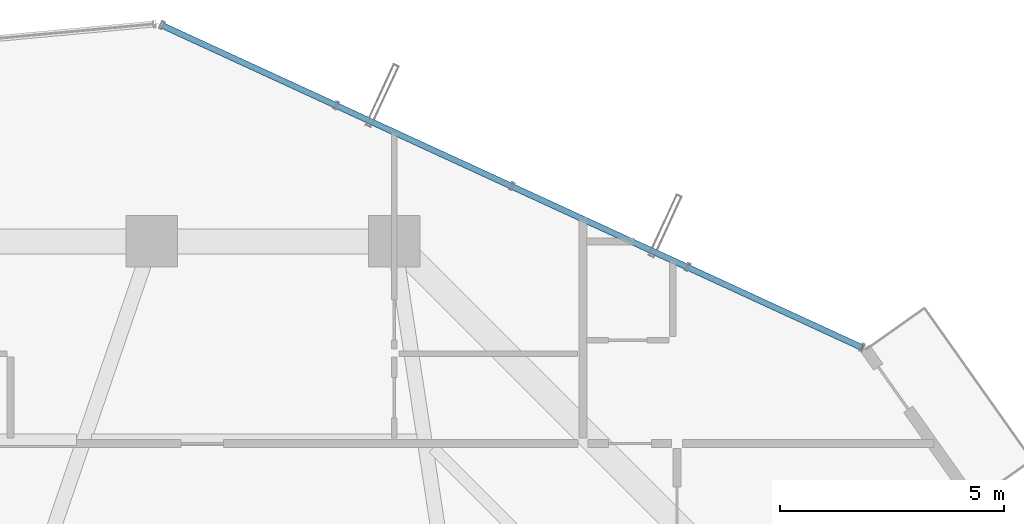
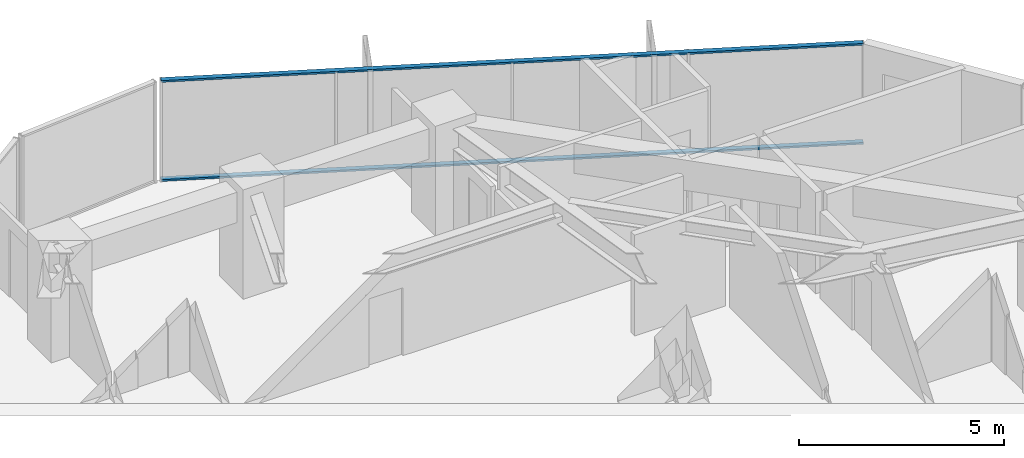
# One storey, part 24 of 33: 2 members, 1 element without a shape of its own.
"""IFC4 building model written with IfcOpenShell, lengths in metres."""

from ifc_helpers import new_model, si_unit, direction, frame, origin, origin_2d, place, context, subcontext, project, spatial, hollow_rectangle, extrude, source, transform, mapped, material, layer, layer_set, material_profile, profile_set, type_object, element, aggregate, save


model = new_model("IFC4")

# Units and contexts
model_context = context("Model", 3, precision=1e-05, world=origin(), true_north=direction((0.0, 1.0)))
body_context = subcontext(model_context, "Body", "Model", "MODEL_VIEW")
ifc_project = project(units=[si_unit("LENGTHUNIT", "METRE"), si_unit("AREAUNIT", "SQUARE_METRE"), si_unit("VOLUMEUNIT", "CUBIC_METRE"), si_unit("PLANEANGLEUNIT", "RADIAN"), si_unit("MASSUNIT", "GRAM", prefix="KILO")], contexts=[model_context])

# Site, building, storey
site_placement = place(None, origin())
site = spatial("IfcSite", under=ifc_project, at=site_placement, CompositionType="ELEMENT")
building_placement = place(site_placement, origin())
building = spatial("IfcBuilding", under=site, at=building_placement, Name="Veraguas Prism Commons", CompositionType="ELEMENT")
storey_placement = place(building_placement, frame((0.0, 0.0, 145.75)))
storey = spatial("IfcBuildingStorey", under=building, at=storey_placement, Name="L41", CompositionType="ELEMENT", Elevation=145.75)

# Curtain wall, members
ifc_material = material(Name="Anodised aluminium EN AW-6063 T6", Category="aluminium")
ifc_layer = layer(ifc_material, 0.169921875, Name="Unitised Flush Curtain Wall Zone 2", Category="aluminium")
ifc_layer_set = layer_set([ifc_layer], Name="Anodised aluminium EN AW-6063 T6")
curtain_wall_type = type_object("IfcCurtainWallType", Name="Unitised Flush Curtain Wall Zone 2", PredefinedType="NOTDEFINED", material=ifc_layer_set)
curtain_wall_placement = place(storey_placement, origin())
curtain_wall = element("IfcCurtainWall", 1, at=curtain_wall_placement, inside=storey, type_object=curtain_wall_type, Name="Tower Facade Curtain Wall L41-F1", PredefinedType="NOTDEFINED")
ifc_material_profile = material_profile(ifc_material, hollow_rectangle(XDim=0.054931640625, YDim=0.135009765625, WallThickness=0.0029296875, at=origin_2d()), Name="AL55X135X3")
ifc_profile_set = profile_set([ifc_material_profile], Name="Anodised aluminium EN AW-6063 T6")
member_type = type_object("IfcMemberType", Name="Curtain Wall Transom Standard AL 55x135x3", PredefinedType="USERDEFINED", material=ifc_profile_set)
shared_shape = source(origin(), body_context, "Body", "SweptSolid", [
    extrude(hollow_rectangle(XDim=0.054931640625, YDim=0.135009765625, WallThickness=0.0029296875, at=origin_2d()), origin(), (0.0, 0.0, 1.0), 17.17431640625),
])
member_1_placement = place(storey_placement, frame((39.822021484375, 37.833740234375, 0.027587890625), z_axis=(-0.908366279801, 0.418175443708, 0.0), x_axis=(0.0, 0.0, 1.0)))
member_1 = element("IfcMember", 2, at=member_1_placement, type_object=member_type, Name="CW-Z2 Transom 1", ObjectType="TRANSOM", PredefinedType="USERDEFINED", context=body_context, shape_type="MappedRepresentation", body=[
    mapped(shared_shape, transform((0.0, 0.0, 0.0), scale=1.0)),
])
member_2_placement = place(storey_placement, frame((39.822021484375, 37.833740234375, 2.972412109375), z_axis=(-0.908366279801, 0.418175443708, 0.0), x_axis=(0.0, 0.0, 1.0)))
member_2 = element("IfcMember", 3, at=member_2_placement, type_object=member_type, Name="CW-Z2 Transom 2", ObjectType="TRANSOM", PredefinedType="USERDEFINED", context=body_context, shape_type="MappedRepresentation", body=[
    mapped(shared_shape, transform((0.0, 0.0, 0.0), scale=1.0)),
])
aggregate(curtain_wall, [member_1, member_2])

save(model, "model.ifc")
